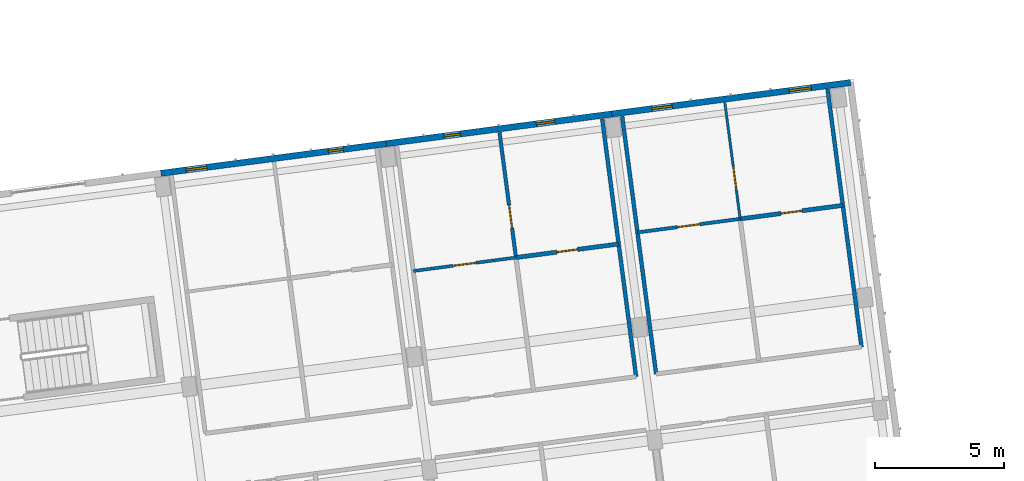
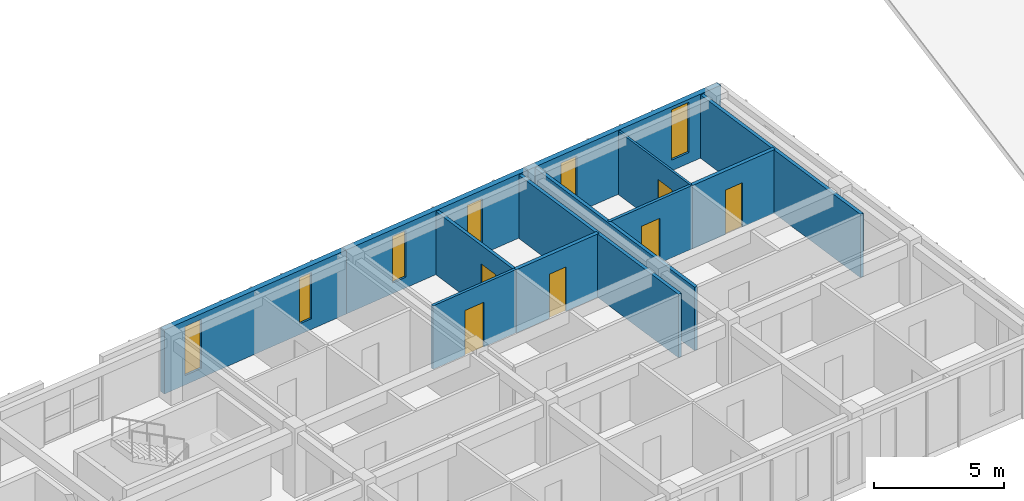
# One storey, part 28 of 74: 12 walls, 6 doors, 6 windows, 12 openings.
"""IFC4 building model written with IfcOpenShell, lengths in metres."""

from ifc_helpers import new_model, si_unit, direction, frame, frame_2d, origin, place, context, subcontext, project, spatial, rectangle, extrude, material, layer, layer_set, type_object, element, fill, save


model = new_model("IFC4")

# Units and contexts
model_context = context("Model", 3, precision=1e-05, world=origin(), true_north=direction((0.0, 1.0)))
body_context = subcontext(model_context, "Body", "Model", "MODEL_VIEW")
ifc_project = project(units=[si_unit("LENGTHUNIT", "METRE"), si_unit("AREAUNIT", "SQUARE_METRE"), si_unit("VOLUMEUNIT", "CUBIC_METRE"), si_unit("PLANEANGLEUNIT", "RADIAN"), si_unit("MASSUNIT", "GRAM", prefix="KILO")], contexts=[model_context])

# Site, building, storey
site_placement = place(None, origin())
site = spatial("IfcSite", under=ifc_project, at=site_placement, CompositionType="ELEMENT")
building_placement = place(site_placement, origin())
building = spatial("IfcBuilding", under=site, at=building_placement, Name="Kestramere Prow Commons", CompositionType="ELEMENT")
storey_placement = place(building_placement, frame((0.0, 0.0, 11.64990234375)))
storey = spatial("IfcBuildingStorey", under=building, at=storey_placement, Name="L03", CompositionType="ELEMENT", Elevation=11.64990234375)

# Wall, openings, windows
ifc_material_1 = material(Name="Fluoropolymer Standing-Seam Zinc-Aluminium Cladding", Category="aluminium")
ifc_layer_1 = layer(ifc_material_1, 0.239990234375)
ifc_layer_set_1 = layer_set([ifc_layer_1], Name="Fluoropolymer Standing-Seam Zinc-Aluminium Cladding")
wall_type_1 = type_object("IfcWallType", Name="EW-SEAM-240", PredefinedType="SOLIDWALL", material=ifc_layer_set_1)
wall_1_placement = place(storey_placement, frame((34.695068359375, 95.79541015625, 0.0), z_axis=(0.0, 0.0, 1.0), x_axis=(0.991447967712, 0.130502595073, 0.0)))
wall_1 = element("IfcWall", 1, at=wall_1_placement, inside=storey, type_object=wall_type_1, Name="Block A L03 North Standing-Seam Wall 4", PredefinedType="SOLIDWALL", context=body_context, shape_type="SweptSolid", body=[
    extrude(rectangle(XDim=8.800048828125, YDim=0.239990234375, at=frame_2d((4.39990234375, 0.0))), origin(), (0.0, 0.0, 1.0), 3.0),
])
opening_1_placement = place(wall_1_placement, frame((0.98876953125, 0.0, 0.43994140625)))
opening_1 = element("IfcOpeningElement", 2, at=opening_1_placement, cuts=wall_1, Name="Opening WN-12", PredefinedType="OPENING", context=body_context, shape_type="SweptSolid", body=[
    extrude(rectangle(XDim=0.800048828125, YDim=2.300048828125, at=frame_2d((0.39990234375, 1.14990234375))), frame((0.0, 0.135009765625, 0.0), z_axis=(0.0, -1.0, 0.0), x_axis=(1.0, 0.0, 0.0)), (0.0, 0.0, 1.0), 0.27001953125),
])
opening_2_placement = place(wall_1_placement, frame((6.5380859375, 0.0, 0.5)))
opening_2 = element("IfcOpeningElement", 3, at=opening_2_placement, cuts=wall_1, Name="Opening WN-01", PredefinedType="OPENING", context=body_context, shape_type="SweptSolid", body=[
    extrude(rectangle(XDim=0.580078125, YDim=2.159912109375, at=frame_2d((0.2900390625, 1.080078125))), frame((0.0, 0.135009765625, 0.0), z_axis=(0.0, -1.0, 0.0), x_axis=(1.0, 0.0, 0.0)), (0.0, 0.0, 1.0), 0.27001953125),
])
ifc_material_2 = material(Name="Low-E Laminated Double Glazing", Category="glass")
window_type_1 = type_object("IfcWindowType", Name="WN-NAR-580A", PartitioningType="SINGLE_PANEL", PredefinedType="WINDOW", material=ifc_material_2)
window_1_placement = place(opening_2_placement, origin())
window_1 = element("IfcWindow", 4, at=window_1_placement, inside=storey, type_object=window_type_1, Name="WN-A-L03-N-3-1", OverallHeight=2.159912109375, OverallWidth=0.580078125, PartitioningType="SINGLE_PANEL", PredefinedType="WINDOW", context=body_context, shape_type="SweptSolid", body=[
    extrude(rectangle(XDim=0.580078125, YDim=2.159912109375, at=frame_2d((0.2900390625, 1.080078125))), frame((0.0, 0.030029296875, 0.0), z_axis=(0.0, -1.0, 0.0), x_axis=(1.0, 0.0, 0.0)), (0.0, 0.0, 1.0), 0.06005859375),
])
fill(opening_2, window_1)
window_type_2 = type_object("IfcWindowType", Name="WN-NAR-800A", PartitioningType="SINGLE_PANEL", PredefinedType="WINDOW", material=ifc_material_2)
window_2_placement = place(opening_1_placement, origin())
window_2 = element("IfcWindow", 5, at=window_2_placement, inside=storey, type_object=window_type_2, Name="WN-A-L03-N-3-0", OverallHeight=2.300048828125, OverallWidth=0.800048828125, PartitioningType="SINGLE_PANEL", PredefinedType="WINDOW", context=body_context, shape_type="SweptSolid", body=[
    extrude(rectangle(XDim=0.800048828125, YDim=2.300048828125, at=frame_2d((0.39990234375, 1.14990234375))), frame((0.0, 0.030029296875, 0.0), z_axis=(0.0, -1.0, 0.0), x_axis=(1.0, 0.0, 0.0)), (0.0, 0.0, 1.0), 0.06005859375),
])
fill(opening_1, window_2)

wall_2_placement = place(storey_placement, frame((43.419921875, 96.94384765625, 0.0), z_axis=(0.0, 0.0, 1.0), x_axis=(0.991443905089, 0.130533455715, 0.0)))
wall_2 = element("IfcWall", 6, at=wall_2_placement, inside=storey, type_object=wall_type_1, Name="Block A L03 North Standing-Seam Wall 5", PredefinedType="SOLIDWALL", context=body_context, shape_type="SweptSolid", body=[
    extrude(rectangle(XDim=8.7998046875, YDim=0.239990234375, at=frame_2d((4.39990234375, 0.0))), origin(), (0.0, 0.0, 1.0), 3.0),
])
opening_3_placement = place(wall_2_placement, frame((2.2412109375, 0.0, 0.5)))
opening_3 = element("IfcOpeningElement", 7, at=opening_3_placement, cuts=wall_2, Name="Opening WN-04", PredefinedType="OPENING", context=body_context, shape_type="SweptSolid", body=[
    extrude(rectangle(XDim=0.639892578125, YDim=2.179931640625, at=frame_2d((0.31982421875, 1.08984375))), frame((0.0, 0.135009765625, 0.0), z_axis=(0.0, -1.0, 0.0), x_axis=(1.0, 0.0, 0.0)), (0.0, 0.0, 1.0), 0.27001953125),
])
opening_4_placement = place(wall_2_placement, frame((5.86083984375, 0.0, 0.43994140625)))
opening_4 = element("IfcOpeningElement", 8, at=opening_4_placement, cuts=wall_2, Name="Opening WN-08", PredefinedType="OPENING", context=body_context, shape_type="SweptSolid", body=[
    extrude(rectangle(XDim=0.719970703125, YDim=2.159912109375, at=frame_2d((0.35986328125, 1.080078125))), frame((0.0, 0.135009765625, 0.0), z_axis=(0.0, -1.0, 0.0), x_axis=(1.0, 0.0, 0.0)), (0.0, 0.0, 1.0), 0.27001953125),
])
window_type_3 = type_object("IfcWindowType", Name="WN-NAR-640A", PartitioningType="SINGLE_PANEL", PredefinedType="WINDOW", material=ifc_material_2)
window_3_placement = place(opening_3_placement, origin())
window_3 = element("IfcWindow", 9, at=window_3_placement, inside=storey, type_object=window_type_3, Name="WN-A-L03-N-4-0", OverallHeight=2.179931640625, OverallWidth=0.639892578125, PartitioningType="SINGLE_PANEL", PredefinedType="WINDOW", context=body_context, shape_type="SweptSolid", body=[
    extrude(rectangle(XDim=0.639892578125, YDim=2.179931640625, at=frame_2d((0.31982421875, 1.08984375))), frame((0.0, 0.030029296875, 0.0), z_axis=(0.0, -1.0, 0.0), x_axis=(1.0, 0.0, 0.0)), (0.0, 0.0, 1.0), 0.06005859375),
])
fill(opening_3, window_3)
window_type_4 = type_object("IfcWindowType", Name="WN-NAR-720A", PartitioningType="SINGLE_PANEL", PredefinedType="WINDOW", material=ifc_material_2)
window_4_placement = place(opening_4_placement, origin())
window_4 = element("IfcWindow", 10, at=window_4_placement, inside=storey, type_object=window_type_4, Name="WN-A-L03-N-4-1", OverallHeight=2.159912109375, OverallWidth=0.719970703125, PartitioningType="SINGLE_PANEL", PredefinedType="WINDOW", context=body_context, shape_type="SweptSolid", body=[
    extrude(rectangle(XDim=0.719970703125, YDim=2.159912109375, at=frame_2d((0.35986328125, 1.080078125))), frame((0.0, 0.030029296875, 0.0), z_axis=(0.0, -1.0, 0.0), x_axis=(1.0, 0.0, 0.0)), (0.0, 0.0, 1.0), 0.06005859375),
])
fill(opening_4, window_4)

wall_3_placement = place(storey_placement, frame((52.14453125, 98.092529296875, 0.0), z_axis=(0.0, 0.0, 1.0), x_axis=(0.991442885224, 0.130541201693, 0.0)))
wall_3 = element("IfcWall", 11, at=wall_3_placement, inside=storey, type_object=wall_type_1, Name="Block A L03 North Standing-Seam Wall 6", PredefinedType="SOLIDWALL", context=body_context, shape_type="SweptSolid", body=[
    extrude(rectangle(XDim=9.324951171875, YDim=0.239990234375, at=frame_2d((4.66259765625, 0.0))), origin(), (0.0, 0.0, 1.0), 3.0),
])
opening_5_placement = place(wall_3_placement, frame((1.58203125, 0.0, 0.43994140625)))
opening_5 = element("IfcOpeningElement", 12, at=opening_5_placement, cuts=wall_3, Name="Opening WN-11", PredefinedType="OPENING", context=body_context, shape_type="SweptSolid", body=[
    extrude(rectangle(XDim=0.780029296875, YDim=2.199951171875, at=frame_2d((0.39013671875, 1.10009765625))), frame((0.0, 0.135009765625, 0.0), z_axis=(0.0, -1.0, 0.0), x_axis=(1.0, 0.0, 0.0)), (0.0, 0.0, 1.0), 0.27001953125),
])
opening_6_placement = place(wall_3_placement, frame((6.925537109375, 0.0, 0.5)))
opening_6 = element("IfcOpeningElement", 13, at=opening_6_placement, cuts=wall_3, Name="Opening WN-15", PredefinedType="OPENING", context=body_context, shape_type="SweptSolid", body=[
    extrude(rectangle(XDim=0.860107421875, YDim=2.360107421875, at=frame_2d((0.43017578125, 1.18017578125))), frame((0.0, 0.135009765625, 0.0), z_axis=(0.0, -1.0, 0.0), x_axis=(1.0, 0.0, 0.0)), (0.0, 0.0, 1.0), 0.27001953125),
])
window_type_5 = type_object("IfcWindowType", Name="WN-NAR-780A", PartitioningType="SINGLE_PANEL", PredefinedType="WINDOW", material=ifc_material_2)
window_5_placement = place(opening_5_placement, origin())
window_5 = element("IfcWindow", 14, at=window_5_placement, inside=storey, type_object=window_type_5, Name="WN-A-L03-N-5-0", OverallHeight=2.199951171875, OverallWidth=0.780029296875, PartitioningType="SINGLE_PANEL", PredefinedType="WINDOW", context=body_context, shape_type="SweptSolid", body=[
    extrude(rectangle(XDim=0.780029296875, YDim=2.199951171875, at=frame_2d((0.39013671875, 1.10009765625))), frame((0.0, 0.030029296875, 0.0), z_axis=(0.0, -1.0, 0.0), x_axis=(1.0, 0.0, 0.0)), (0.0, 0.0, 1.0), 0.06005859375),
])
fill(opening_5, window_5)
window_type_6 = type_object("IfcWindowType", Name="WN-NAR-860A", PartitioningType="DOUBLE_PANEL_VERTICAL", PredefinedType="WINDOW", material=ifc_material_2)
window_6_placement = place(opening_6_placement, origin())
window_6 = element("IfcWindow", 15, at=window_6_placement, inside=storey, type_object=window_type_6, Name="WN-A-L03-N-5-1", OverallHeight=2.360107421875, OverallWidth=0.860107421875, PartitioningType="SINGLE_PANEL", PredefinedType="WINDOW", context=body_context, shape_type="SweptSolid", body=[
    extrude(rectangle(XDim=0.860107421875, YDim=2.360107421875, at=frame_2d((0.43017578125, 1.18017578125))), frame((0.0, 0.030029296875, 0.0), z_axis=(0.0, -1.0, 0.0), x_axis=(1.0, 0.0, 0.0)), (0.0, 0.0, 1.0), 0.06005859375),
])
fill(opening_6, window_6)

# Wall, opening, door
ifc_material_3 = material(Name="Lightweight Blockwork and Plaster", Category="masonry")
ifc_layer_2 = layer(ifc_material_3, 0.1201171875)
ifc_layer_set_2 = layer_set([ifc_layer_2], Name="Lightweight Blockwork and Plaster")
wall_type_2 = type_object("IfcWallType", Name="W-PART-120", PredefinedType="PARTITIONING", material=ifc_layer_set_2)
wall_4_placement = place(storey_placement, frame((44.46240234375, 92.012939453125, 0.0), z_axis=(0.0, 0.0, 1.0), x_axis=(0.991451394038, 0.130476562111, 0.0)))
wall_4 = element("IfcWall", 16, at=wall_4_placement, inside=storey, type_object=wall_type_2, Name="Interior Partition PW-A-L03-MIDN1-4", PredefinedType="PARTITIONING", context=body_context, shape_type="SweptSolid", body=[
    extrude(rectangle(XDim=4.009765625, YDim=0.1201171875, at=frame_2d((2.0048828125, 0.0))), origin(), (0.0, 0.0, 1.0), 2.97021484375),
])
opening_7_placement = place(wall_4_placement, frame((1.554931640625, 0.0, 0.0)))
opening_7 = element("IfcOpeningElement", 17, at=opening_7_placement, cuts=wall_4, Name="Opening ID-08", PredefinedType="OPENING", context=body_context, shape_type="SweptSolid", body=[
    extrude(rectangle(XDim=0.89990234375, YDim=2.10009765625, at=frame_2d((0.449951171875, 1.050048828125))), frame((0.0, 0.074951171875, 0.0), z_axis=(0.0, -1.0, 0.0), x_axis=(1.0, 0.0, 0.0)), (0.0, 0.0, 1.0), 0.150146484375),
])
ifc_material_4 = material(Name="Engineered Timber Flush Door", Category="wood")
door_type_1 = type_object("IfcDoorType", Name="D-RM-01", OperationType="NOTDEFINED", PredefinedType="DOOR", material=ifc_material_4)
door_1_placement = place(opening_7_placement, origin())
door_1 = element("IfcDoor", 18, at=door_1_placement, inside=storey, type_object=door_type_1, Name="Interior Door DR-A-L03-KL-N4", OperationType="SINGLE_SWING_LEFT", OverallHeight=2.10009765625, OverallWidth=0.89990234375, PredefinedType="DOOR", context=body_context, shape_type="SweptSolid", body=[
    extrude(rectangle(XDim=0.89990234375, YDim=2.10009765625, at=frame_2d((0.449951171875, 1.050048828125))), frame((0.0, 0.02490234375, 0.0), z_axis=(0.0, -1.0, 0.0), x_axis=(1.0, 0.0, 0.0)), (0.0, 0.0, 1.0), 0.050048828125),
])
fill(opening_7, door_1)

ifc_layer_3 = layer(ifc_material_3, 0.1298828125)
ifc_layer_set_3 = layer_set([ifc_layer_3], Name="Lightweight Blockwork and Plaster")
wall_type_3 = type_object("IfcWallType", Name="W-PART-130", PredefinedType="PARTITIONING", material=ifc_layer_set_3)
wall_5_placement = place(storey_placement, frame((53.141357421875, 93.508544921875, 0.0), z_axis=(0.0, 0.0, 1.0), x_axis=(0.991444553502, 0.130528530716, 0.0)))
wall_5 = element("IfcWall", 19, at=wall_5_placement, inside=storey, type_object=wall_type_3, Name="Interior Partition PW-A-L03-MIDN1-5", PredefinedType="PARTITIONING", context=body_context, shape_type="SweptSolid", body=[
    extrude(rectangle(XDim=4.01025390625, YDim=0.1298828125, at=frame_2d((2.005126953125, 0.0))), origin(), (0.0, 0.0, 1.0), 2.97021484375),
])
opening_8_placement = place(wall_5_placement, frame((1.554931640625, 0.0, 0.0)))
opening_8 = element("IfcOpeningElement", 20, at=opening_8_placement, cuts=wall_5, Name="Opening ID-10", PredefinedType="OPENING", context=body_context, shape_type="SweptSolid", body=[
    extrude(rectangle(XDim=0.8798828125, YDim=2.10009765625, at=frame_2d((0.43994140625, 1.050048828125))), frame((0.0, 0.079833984375, 0.0), z_axis=(0.0, -1.0, 0.0), x_axis=(1.0, 0.0, 0.0)), (0.0, 0.0, 1.0), 0.159912109375),
])
ifc_material_5 = material(Name="Engineered Timber Bedroom Door", Category="wood")
door_type_2 = type_object("IfcDoorType", Name="D-RM-03", OperationType="NOTDEFINED", PredefinedType="DOOR", material=ifc_material_5)
door_2_placement = place(opening_8_placement, origin())
door_2 = element("IfcDoor", 21, at=door_2_placement, inside=storey, type_object=door_type_2, Name="Interior Door DR-A-L03-KL-N5", OperationType="SINGLE_SWING_LEFT", OverallHeight=2.10009765625, OverallWidth=0.8798828125, PredefinedType="DOOR", context=body_context, shape_type="SweptSolid", body=[
    extrude(rectangle(XDim=0.8798828125, YDim=2.10009765625, at=frame_2d((0.43994140625, 1.050048828125))), frame((0.0, 0.02490234375, 0.0), z_axis=(0.0, -1.0, 0.0), x_axis=(1.0, 0.0, 0.0)), (0.0, 0.0, 1.0), 0.050048828125),
])
fill(opening_8, door_2)

ifc_material_6 = material(Name="Masonry Compartment Wall", Category="masonry")
ifc_layer_4 = layer(ifc_material_6, 0.139892578125)
ifc_layer_set_4 = layer_set([ifc_layer_4], Name="Masonry Compartment Wall")
wall_type_4 = type_object("IfcWallType", Name="W-PART-140", PredefinedType="PARTITIONING", material=ifc_layer_set_4)
wall_6_placement = place(storey_placement, frame((48.43798828125, 92.5361328125, 0.0), z_axis=(0.0, 0.0, 1.0), x_axis=(-0.130508755558, 0.991447156798, 0.0)))
wall_6 = element("IfcWall", 22, at=wall_6_placement, inside=storey, type_object=wall_type_4, Name="Interior Partition PW-A-L03-LB-N4", PredefinedType="PARTITIONING", context=body_context, shape_type="SweptSolid", body=[
    extrude(rectangle(XDim=4.889892578125, YDim=0.139892578125, at=frame_2d((2.44482421875, 0.0))), origin(), (0.0, 0.0, 1.0), 2.97021484375),
])
opening_9_placement = place(wall_6_placement, frame((1.14990234375, 0.0, 0.0)))
opening_9 = element("IfcOpeningElement", 23, at=opening_9_placement, cuts=wall_6, Name="Opening ID-08", PredefinedType="OPENING", context=body_context, shape_type="SweptSolid", body=[
    extrude(rectangle(XDim=0.89990234375, YDim=2.10009765625, at=frame_2d((0.449951171875, 1.050048828125))), frame((0.0, 0.0849609375, 0.0), z_axis=(0.0, -1.0, 0.0), x_axis=(1.0, 0.0, 0.0)), (0.0, 0.0, 1.0), 0.169921875),
])
door_3_placement = place(opening_9_placement, origin())
door_3 = element("IfcDoor", 24, at=door_3_placement, inside=storey, type_object=door_type_1, Name="Interior Door DR-A-L03-BED-N4", OperationType="SINGLE_SWING_LEFT", OverallHeight=2.10009765625, OverallWidth=0.89990234375, PredefinedType="DOOR", context=body_context, shape_type="SweptSolid", body=[
    extrude(rectangle(XDim=0.89990234375, YDim=2.10009765625, at=frame_2d((0.449951171875, 1.050048828125))), frame((0.0, 0.02490234375, 0.0), z_axis=(0.0, -1.0, 0.0), x_axis=(1.0, 0.0, 0.0)), (0.0, 0.0, 1.0), 0.050048828125),
])
fill(opening_9, door_3)

# Walls
ifc_layer_5 = layer(ifc_material_6, 0.14990234375)
ifc_layer_set_5 = layer_set([ifc_layer_5], Name="Masonry Compartment Wall")
wall_type_5 = type_object("IfcWallType", Name="W-PART-150", PredefinedType="PARTITIONING", material=ifc_layer_set_5)
for number, where, z_axis, x_axis, name in (
    (25, (53.08984375, 87.924072265625, 0.0), (0.0, 0.0, 1.0), (-0.130534161944, 0.991443812107, 0.0), "Interior Partition PW-A-L03-NWR-4"),
    (26, (53.86328125, 88.02587890625, 0.0), (0.0, 0.0, 1.0), (-0.130534161944, 0.991443812107, 0.0), "Interior Partition PW-A-L03-NWL-5"),
):
    element("IfcWall", number, at=place(storey_placement, frame(where, z_axis=z_axis, x_axis=x_axis)), inside=storey, type_object=wall_type_5, Name=name, PredefinedType="PARTITIONING", context=body_context, shape_type="SweptSolid", body=[
        extrude(rectangle(XDim=10.06982421875, YDim=0.14990234375, at=frame_2d((5.034912109375, 0.0))), origin(), (0.0, 0.0, 1.0), 2.97021484375),
    ])
wall_7_placement = place(storey_placement, frame((61.814697265625, 89.072509765625, 0.0), z_axis=(0.0, 0.0, 1.0), x_axis=(-0.130531024319, 0.991444225204, 0.0)))
element("IfcWall", 27, at=wall_7_placement, inside=storey, type_object=wall_type_5, Name="Interior Partition PW-A-L03-NWR-5", PredefinedType="PARTITIONING", context=body_context, shape_type="SweptSolid", body=[
    extrude(rectangle(XDim=10.070068359375, YDim=0.14990234375, at=frame_2d((5.03515625, 0.0))), origin(), (0.0, 0.0, 1.0), 2.97021484375),
])

# Wall, opening, door
ifc_material_7 = material(Name="Gypsum Acoustic Drywall")
ifc_layer_6 = layer(ifc_material_7, 0.094970703125)
ifc_layer_set_6 = layer_set([ifc_layer_6], Name="Gypsum Acoustic Drywall")
wall_type_6 = type_object("IfcWallType", Name="W-PART-95", PredefinedType="PARTITIONING", material=ifc_layer_set_6)
wall_8_placement = place(storey_placement, frame((57.1171875, 94.031982421875, 0.0), z_axis=(0.0, 0.0, 1.0), x_axis=(-0.130571364795, 0.991438913245, 0.0)))
wall_8 = element("IfcWall", 28, at=wall_8_placement, inside=storey, type_object=wall_type_6, Name="Interior Partition PW-A-L03-LB-N5", PredefinedType="PARTITIONING", context=body_context, shape_type="SweptSolid", body=[
    extrude(rectangle(XDim=4.539794921875, YDim=0.094970703125, at=frame_2d((2.27001953125, 0.0))), origin(), (0.0, 0.0, 1.0), 2.97021484375),
])
opening_10_placement = place(wall_8_placement, frame((1.14990234375, 0.0, 0.0)))
opening_10 = element("IfcOpeningElement", 29, at=opening_10_placement, cuts=wall_8, Name="Opening ID-08", PredefinedType="OPENING", context=body_context, shape_type="SweptSolid", body=[
    extrude(rectangle(XDim=0.89990234375, YDim=2.10009765625, at=frame_2d((0.449951171875, 1.050048828125))), frame((0.0, 0.0625, 0.0), z_axis=(0.0, -1.0, 0.0), x_axis=(1.0, 0.0, 0.0)), (0.0, 0.0, 1.0), 0.125),
])
door_4_placement = place(opening_10_placement, origin())
door_4 = element("IfcDoor", 30, at=door_4_placement, inside=storey, type_object=door_type_1, Name="Interior Door DR-A-L03-BED-N5", OperationType="SINGLE_SWING_LEFT", OverallHeight=2.10009765625, OverallWidth=0.89990234375, PredefinedType="DOOR", context=body_context, shape_type="SweptSolid", body=[
    extrude(rectangle(XDim=0.89990234375, YDim=2.10009765625, at=frame_2d((0.449951171875, 1.050048828125))), frame((0.0, 0.02490234375, 0.0), z_axis=(0.0, -1.0, 0.0), x_axis=(1.0, 0.0, 0.0)), (0.0, 0.0, 1.0), 0.050048828125),
])
fill(opening_10, door_4)

ifc_material_8 = material(Name="Waterproof Sanitary Masonry Wall", Category="masonry")
ifc_layer_7 = layer(ifc_material_8, 0.1650390625)
ifc_layer_set_7 = layer_set([ifc_layer_7], Name="Waterproof Sanitary Masonry Wall")
wall_type_7 = type_object("IfcWallType", Name="W-PLUMB-150", PredefinedType="PLUMBINGWALL", material=ifc_layer_set_7)
wall_9_placement = place(storey_placement, frame((48.43798828125, 92.5361328125, 0.0), z_axis=(0.0, 0.0, 1.0), x_axis=(0.991444553502, 0.130528530716, 0.0)))
wall_9 = element("IfcWall", 31, at=wall_9_placement, inside=storey, type_object=wall_type_7, Name="Interior Partition PW-A-L03-MIDN2-4", PredefinedType="PLUMBINGWALL", context=body_context, shape_type="SweptSolid", body=[
    extrude(rectangle(XDim=4.01025390625, YDim=0.1650390625, at=frame_2d((2.005126953125, 0.0))), origin(), (0.0, 0.0, 1.0), 2.97021484375),
])
opening_11_placement = place(wall_9_placement, frame((1.594970703125, 0.0, 0.0)))
opening_11 = element("IfcOpeningElement", 32, at=opening_11_placement, cuts=wall_9, Name="Opening ID-11", PredefinedType="OPENING", context=body_context, shape_type="SweptSolid", body=[
    extrude(rectangle(XDim=0.820068359375, YDim=2.080078125, at=frame_2d((0.41015625, 1.0400390625))), frame((0.0, 0.097412109375, 0.0), z_axis=(0.0, -1.0, 0.0), x_axis=(1.0, 0.0, 0.0)), (0.0, 0.0, 1.0), 0.195068359375),
])
ifc_material_9 = material(Name="Moisture-Resistant Timber Bathroom Door", Category="wood")
door_type_3 = type_object("IfcDoorType", Name="D-BT-01", OperationType="NOTDEFINED", PredefinedType="DOOR", material=ifc_material_9)
door_5_placement = place(opening_11_placement, origin())
door_5 = element("IfcDoor", 33, at=door_5_placement, inside=storey, type_object=door_type_3, Name="Interior Door DR-A-L03-BTH-N4", OperationType="SINGLE_SWING_RIGHT", OverallHeight=2.080078125, OverallWidth=0.820068359375, PredefinedType="DOOR", context=body_context, shape_type="SweptSolid", body=[
    extrude(rectangle(XDim=0.820068359375, YDim=2.080078125, at=frame_2d((0.41015625, 1.0400390625))), frame((0.0, 0.02490234375, 0.0), z_axis=(0.0, -1.0, 0.0), x_axis=(1.0, 0.0, 0.0)), (0.0, 0.0, 1.0), 0.050048828125),
])
fill(opening_11, door_5)

wall_10_placement = place(storey_placement, frame((57.1171875, 94.031982421875, 0.0), z_axis=(0.0, 0.0, 1.0), x_axis=(0.991451394038, 0.130476562111, 0.0)))
wall_10 = element("IfcWall", 34, at=wall_10_placement, inside=storey, type_object=wall_type_7, Name="Interior Partition PW-A-L03-MIDN2-5", PredefinedType="PLUMBINGWALL", context=body_context, shape_type="SweptSolid", body=[
    extrude(rectangle(XDim=4.009765625, YDim=0.1650390625, at=frame_2d((2.0048828125, 0.0))), origin(), (0.0, 0.0, 1.0), 2.97021484375),
])
opening_12_placement = place(wall_10_placement, frame((1.594970703125, 0.0, 0.0)))
opening_12 = element("IfcOpeningElement", 35, at=opening_12_placement, cuts=wall_10, Name="Opening ID-11", PredefinedType="OPENING", context=body_context, shape_type="SweptSolid", body=[
    extrude(rectangle(XDim=0.820068359375, YDim=2.080078125, at=frame_2d((0.41015625, 1.0400390625))), frame((0.0, 0.097412109375, 0.0), z_axis=(0.0, -1.0, 0.0), x_axis=(1.0, 0.0, 0.0)), (0.0, 0.0, 1.0), 0.195068359375),
])
door_6_placement = place(opening_12_placement, origin())
door_6 = element("IfcDoor", 36, at=door_6_placement, inside=storey, type_object=door_type_3, Name="Interior Door DR-A-L03-BTH-N5", OperationType="SINGLE_SWING_RIGHT", OverallHeight=2.080078125, OverallWidth=0.820068359375, PredefinedType="DOOR", context=body_context, shape_type="SweptSolid", body=[
    extrude(rectangle(XDim=0.820068359375, YDim=2.080078125, at=frame_2d((0.41015625, 1.0400390625))), frame((0.0, 0.02490234375, 0.0), z_axis=(0.0, -1.0, 0.0), x_axis=(1.0, 0.0, 0.0)), (0.0, 0.0, 1.0), 0.050048828125),
])
fill(opening_12, door_6)

save(model, "model.ifc")
